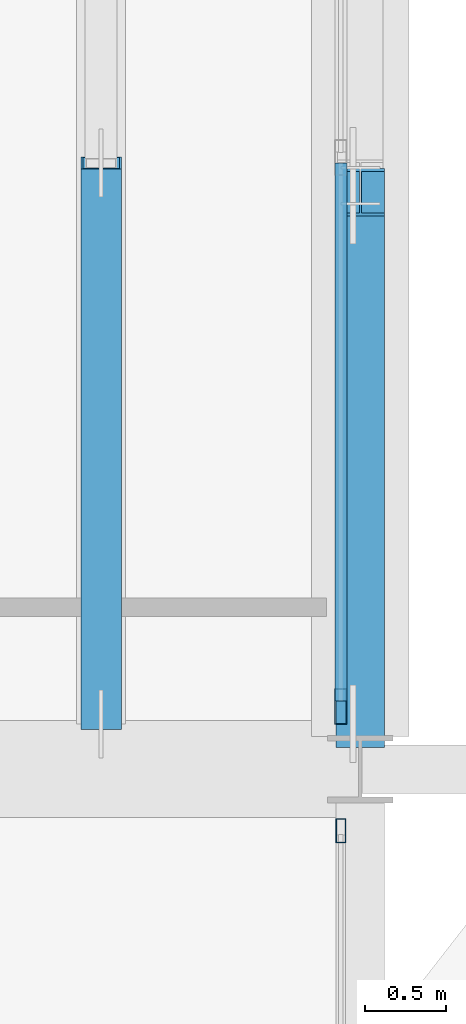
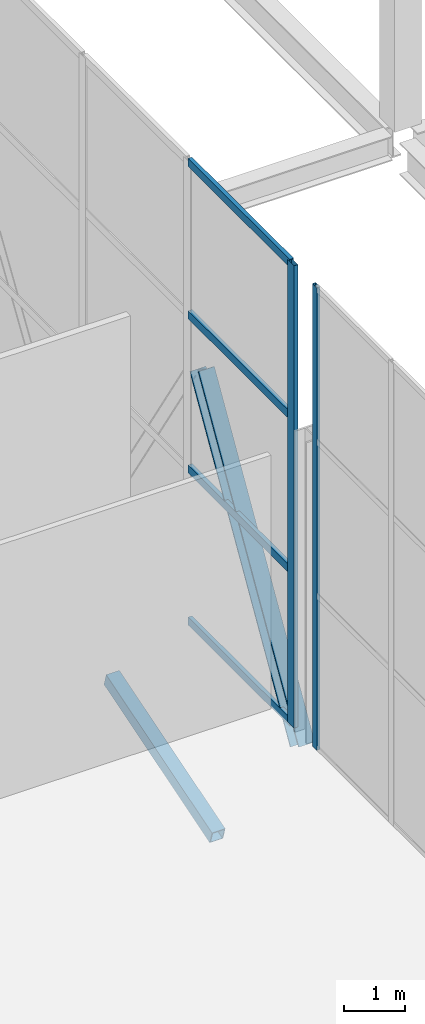
# One storey, part 54 of 191: 8 members, 2 elements without a shape of their own.
"""IFC4 building model written with IfcOpenShell, lengths in metres."""

import ifcopenshell
import ifcopenshell.guid

model = None  # the IFC model being written
_history = None  # IfcOwnerHistory: only IFC2X3 demands one
_inside = {}  # id of a spatial element -> (the spatial element, [elements in it])
_under = {}  # id of a project, library or spatial element -> (it, [spatial elements below it])
_declared = {}  # id of a project -> (the project, [libraries it declares])
_typed = {}  # id of a type object -> (the type object, [elements of that type])
_made_of = {}  # id of a material, layer set ... -> (it, [elements and type objects made of it])


def new_model(schema):
    """Start an empty IFC model of exactly this schema.

    Asked for "IFC4X3", IfcOpenShell would pick the latest addendum, in which some entities
    have other attributes; the version numbers below select the first issue.
    IFC2X3 requires an IfcOwnerHistory on every rooted entity: one is made here for all.
    """
    global model, _history
    if schema == "IFC4X3":
        model = ifcopenshell.file(schema_version=(4, 3, 0, 0))
    else:
        model = ifcopenshell.file(schema=schema)
    _inside.clear()
    _under.clear()
    _declared.clear()
    _typed.clear()
    _made_of.clear()
    _history = None
    if model.schema == "IFC2X3":
        org = make("IfcOrganization", Name="unknown")
        user = make(
            "IfcPersonAndOrganization",
            ThePerson=make("IfcPerson", FamilyName="unknown"),
            TheOrganization=org,
        )
        app = make(
            "IfcApplication",
            ApplicationDeveloper=org,
            Version="unknown",
            ApplicationFullName="unknown",
            ApplicationIdentifier="unknown",
        )
        _history = make(
            "IfcOwnerHistory",
            OwningUser=user,
            OwningApplication=app,
            ChangeAction="ADDED",
            CreationDate=0,
        )
    return model


def make(cls, **values):
    """One entity of the class cls with the attributes given. An attribute that is None is left unset."""
    return model.create_entity(
        cls, **{name: value for name, value in values.items() if value is not None}
    )


def rooted(cls, **values):
    """An entity with a GlobalId (a new one), such as an element, a storey or a relation."""
    return make(cls, GlobalId=ifcopenshell.guid.new(), OwnerHistory=_history, **values)


def si_unit(unit_type, name, prefix=None):
    """IfcSIUnit, for example si_unit("LENGTHUNIT", "METRE", prefix="MILLI")."""
    return make("IfcSIUnit", UnitType=unit_type, Prefix=prefix, Name=name)


def assignment(units):
    """IfcUnitAssignment: the units of a project."""
    return None if units is None else make("IfcUnitAssignment", Units=units)


def point(xyz):
    """IfcCartesianPoint."""
    return None if xyz is None else make("IfcCartesianPoint", Coordinates=xyz)


def direction(xyz):
    """IfcDirection."""
    return None if xyz is None else make("IfcDirection", DirectionRatios=xyz)


def frame(location, z_axis=None, x_axis=None):
    """IfcAxis2Placement3D, a coordinate frame: its origin and axes. An axis left out is left unset."""
    return make(
        "IfcAxis2Placement3D",
        Location=point(location),
        Axis=direction(z_axis),
        RefDirection=direction(x_axis),
    )


def frame_2d(location, x_axis=None):
    """IfcAxis2Placement2D, a coordinate frame in the plane: its origin and x axis."""
    return make(
        "IfcAxis2Placement2D", Location=point(location), RefDirection=direction(x_axis)
    )


def origin():
    """The frame at (0, 0, 0) with its axes left unset."""
    return frame((0.0, 0.0, 0.0))


def origin_2d():
    """The frame at (0, 0) in the plane with its x axis left unset."""
    return frame_2d((0.0, 0.0))


def place(relative_to, where):
    """IfcLocalPlacement: puts the frame where relative to a parent placement (None: the world)."""
    return make(
        "IfcLocalPlacement", PlacementRelTo=relative_to, RelativePlacement=where
    )


def context(
    kind, dimensions, precision=None, world=None, true_north=None, identifier=None
):
    """IfcGeometricRepresentationContext, for example the 3D "Model" context."""
    return make(
        "IfcGeometricRepresentationContext",
        ContextIdentifier=identifier,
        ContextType=kind,
        CoordinateSpaceDimension=dimensions,
        Precision=precision,
        WorldCoordinateSystem=world,
        TrueNorth=true_north,
    )


def subcontext(parent, identifier, kind, view, scale=None):
    """IfcGeometricRepresentationSubContext, for example "Body" below "Model"."""
    return make(
        "IfcGeometricRepresentationSubContext",
        ContextIdentifier=identifier,
        ContextType=kind,
        ParentContext=parent,
        TargetScale=scale,
        TargetView=view,
    )


def project(units=None, contexts=None):
    """IfcProject with its units and contexts."""
    return rooted(
        "IfcProject",
        Name="project",
        RepresentationContexts=contexts,
        UnitsInContext=assignment(units),
    )


def spatial(cls, under=None, at=None, **own):
    """A site, building, storey or space (cls), placed at a placement, below another one or the project."""
    s = rooted(cls, ObjectPlacement=at, **own)
    if under is not None:
        _under.setdefault(under.id(), (under, []))[1].append(s)
    return s


def profile(cls, at=None, kind="AREA", **sizes):
    """A parametric profile (cls). Its sizes go by their IFC names, for example OverallWidth=200.0."""
    return make(cls, ProfileType=kind, Position=at, **sizes)


def hollow_rectangle(**sizes):
    """IfcRectangleHollowProfileDef."""
    return profile("IfcRectangleHollowProfileDef", **sizes)


def i_section(**sizes):
    """IfcIShapeProfileDef."""
    return profile("IfcIShapeProfileDef", **sizes)


def extrude(swept, where, along, depth):
    """IfcExtrudedAreaSolid: the profile swept, set in the frame where, extruded along a direction by depth."""
    return make(
        "IfcExtrudedAreaSolid",
        SweptArea=swept,
        Position=where,
        ExtrudedDirection=direction(along),
        Depth=depth,
    )


def shape(context_of_items, identifier, shape_type, items):
    """IfcShapeRepresentation: the items that make up one representation, for example the "Body"."""
    return make(
        "IfcShapeRepresentation",
        ContextOfItems=context_of_items,
        RepresentationIdentifier=identifier,
        RepresentationType=shape_type,
        Items=items,
    )


def material(Name=None, Category=None):
    """IfcMaterial."""
    return make("IfcMaterial", Name=Name, Category=Category)


def layer(
    of_material, thickness, ventilated=None, Name=None, Category=None, Priority=None
):
    """IfcMaterialLayer: one layer of a wall or slab, of a material (None: an air gap)."""
    return make(
        "IfcMaterialLayer",
        Material=of_material,
        LayerThickness=thickness,
        IsVentilated=ventilated,
        Name=Name,
        Category=Category,
        Priority=Priority,
    )


def layer_set(layers, Name=None):
    """IfcMaterialLayerSet."""
    return make("IfcMaterialLayerSet", MaterialLayers=layers, LayerSetName=Name)


def material_profile(
    of_material, cross_section, Name=None, Category=None, Priority=None
):
    """IfcMaterialProfile: a cross section and its material."""
    return make(
        "IfcMaterialProfile",
        Name=Name,
        Material=of_material,
        Profile=cross_section,
        Priority=Priority,
        Category=Category,
    )


def profile_set(profiles, Name=None, composite=None):
    """IfcMaterialProfileSet."""
    return make(
        "IfcMaterialProfileSet",
        Name=Name,
        MaterialProfiles=profiles,
        CompositeProfile=composite,
    )


def made_of(thing, what):
    """Note that an element or type object is made of a material, layer set ...; save() writes the relation."""
    if what is not None:
        _made_of.setdefault(what.id(), (what, []))[1].append(thing)
    return thing


def type_object(cls, material=None, **own):
    """A type object (cls), such as IfcWallType, which elements share."""
    return made_of(rooted(cls, **own), material)


def element(
    cls,
    number,
    at=None,
    inside=None,
    cuts=None,
    type_object=None,
    material=None,
    context=None,
    identifier="Body",
    shape_type=None,
    held_by="IfcProductDefinitionShape",
    body=None,
    shapes=None,
    **own,
):
    """One element of the class cls, such as IfcWall. Its Tag is "e" and its number.

    at: its placement. inside: the storey or other place that contains it. cuts: it is an
    opening in that element (IfcRelVoidsElement). A single representation is given by context,
    identifier, shape_type and body (its items); several are given by shapes. held_by: the class
    of the entity that holds the representations. save() writes the other relations.
    """
    e = rooted(cls, Tag="e%d" % number, ObjectPlacement=at, **own)
    if body is not None:
        shapes = [shape(context, identifier, shape_type, body)]
    if shapes is not None:
        e.Representation = make(held_by, Representations=shapes)
    if inside is not None:
        _inside.setdefault(inside.id(), (inside, []))[1].append(e)
    if cuts is not None:
        rooted(
            "IfcRelVoidsElement", RelatingBuildingElement=cuts, RelatedOpeningElement=e
        )
    if type_object is not None:
        _typed.setdefault(type_object.id(), (type_object, []))[1].append(e)
    return made_of(e, material)


def aggregate(whole, parts):
    """IfcRelAggregates: a whole, such as a stair, and the parts it consists of."""
    return rooted("IfcRelAggregates", RelatingObject=whole, RelatedObjects=parts)


def save(model, path):
    """Write the relations noted so far, then the file.

    IfcRelAggregates (storeys below a building ...), IfcRelContainedInSpatialStructure (elements
    in a storey), IfcRelDefinesByType, IfcRelAssociatesMaterial and IfcRelDeclares: one each for
    every whole, place, type object, material and project.
    """
    for whole, parts in _under.values():
        aggregate(whole, parts)
    for where, things in _inside.values():
        rooted(
            "IfcRelContainedInSpatialStructure",
            RelatedElements=things,
            RelatingStructure=where,
        )
    for kind, things in _typed.values():
        rooted("IfcRelDefinesByType", RelatedObjects=things, RelatingType=kind)
    for what, things in _made_of.values():
        rooted("IfcRelAssociatesMaterial", RelatedObjects=things, RelatingMaterial=what)
    for by, libraries in _declared.values():
        rooted("IfcRelDeclares", RelatingContext=by, RelatedDefinitions=libraries)
    model.write(path)


model = new_model("IFC4")

# Units and contexts
model_context = context("Model", 3, precision=1e-05, world=origin(), true_north=direction((0.0, 1.0)))
body_context = subcontext(model_context, "Body", "Model", "MODEL_VIEW")
ifc_project = project(units=[si_unit("LENGTHUNIT", "METRE"), si_unit("AREAUNIT", "SQUARE_METRE"), si_unit("VOLUMEUNIT", "CUBIC_METRE"), si_unit("PLANEANGLEUNIT", "RADIAN"), si_unit("MASSUNIT", "GRAM", prefix="KILO")], contexts=[model_context])

# Site, building, storey
site_placement = place(None, origin())
site = spatial("IfcSite", under=ifc_project, at=site_placement, CompositionType="ELEMENT")
building_placement = place(site_placement, origin())
building = spatial("IfcBuilding", under=site, at=building_placement, Name="Tamarisk Ironworks Central Station", CompositionType="ELEMENT")
storey_placement = place(building_placement, frame((0.0, 0.0, 6.60009765625)))
storey = spatial("IfcBuildingStorey", under=building, at=storey_placement, Name="L01", CompositionType="ELEMENT", Elevation=6.60009765625)

# Curtain wall, member
ifc_material_1 = material(Name="Anodized aluminium alloy 6063-T6", Category="aluminium")
ifc_layer_1 = layer(ifc_material_1, 0.179931640625)
ifc_layer_set_1 = layer_set([ifc_layer_1], Name="Anodized aluminium alloy 6063-T6")
curtain_wall_type_1 = type_object("IfcCurtainWallType", Name="CW-06", PredefinedType="USERDEFINED", material=ifc_layer_set_1)
curtain_wall_1_placement = place(storey_placement, origin())
curtain_wall_1 = element("IfcCurtainWall", 1, at=curtain_wall_1_placement, inside=storey, type_object=curtain_wall_type_1, Name="Concourse E track-overlook curtain wall 02", ObjectType="GLAZED CURTAIN WALL", PredefinedType="USERDEFINED")
ifc_material_profile_1 = material_profile(ifc_material_1, hollow_rectangle(XDim=0.074951171875, YDim=0.219970703125, WallThickness=0.00390625, at=origin_2d()), Name="ALUM 220x75")
ifc_profile_set_1 = profile_set([ifc_material_profile_1], Name="Anodized aluminium alloy 6063-T6")
member_type_1 = type_object("IfcMemberType", Name="CWM-01", PredefinedType="MULLION", material=ifc_profile_set_1)
member_1_placement = place(storey_placement, frame((107.8798828125, 21.987548828125, 0.0), z_axis=(0.0, 0.0, 1.0), x_axis=(-1.0, 0.0, 0.0)))
member_1 = element("IfcMember", 2, at=member_1_placement, type_object=member_type_1, Name="CW06 mullion 1", PredefinedType="MULLION", context=body_context, shape_type="SweptSolid", body=[
    extrude(hollow_rectangle(XDim=0.074951171875, YDim=0.219970703125, WallThickness=0.00390625, at=origin_2d()), origin(), (0.0, 0.0, 1.0), 9.219970703125),
])

ifc_layer_2 = layer(ifc_material_1, 0.179931640625)
ifc_layer_set_2 = layer_set([ifc_layer_2], Name="Anodized aluminium alloy 6063-T6")
curtain_wall_type_2 = type_object("IfcCurtainWallType", Name="CW-05", PredefinedType="USERDEFINED", material=ifc_layer_set_2)
curtain_wall_2_placement = place(storey_placement, origin())
curtain_wall_2 = element("IfcCurtainWall", 3, at=curtain_wall_2_placement, inside=storey, type_object=curtain_wall_type_2, Name="Concourse E track-overlook curtain wall 01", ObjectType="GLAZED CURTAIN WALL", PredefinedType="USERDEFINED")
ifc_material_profile_2 = material_profile(ifc_material_1, hollow_rectangle(XDim=0.06005859375, YDim=0.14990234375, WallThickness=0.00341796875, at=origin_2d()), Name="ALUM 150x60")
ifc_profile_set_2 = profile_set([ifc_material_profile_2], Name="Anodized aluminium alloy 6063-T6")
member_type_2 = type_object("IfcMemberType", Name="CWM-03", PredefinedType="MULLION", material=ifc_profile_set_2)
member_2_placement = place(storey_placement, frame((107.8798828125, 21.219970703125, 0.0), z_axis=(0.0, 0.0, 1.0), x_axis=(-1.0, 0.0, 0.0)))
member_2 = element("IfcMember", 4, at=member_2_placement, type_object=member_type_2, Name="CW05 mullion 5", PredefinedType="MULLION", context=body_context, shape_type="SweptSolid", body=[
    extrude(hollow_rectangle(XDim=0.06005859375, YDim=0.14990234375, WallThickness=0.00341796875, at=origin_2d()), origin(), (0.0, 0.0, 1.0), 9.219970703125),
])
aggregate(curtain_wall_2, [member_2])

# Member
ifc_material_profile_3 = material_profile(ifc_material_1, hollow_rectangle(XDim=0.074951171875, YDim=0.159912109375, WallThickness=0.00390625, at=origin_2d()), Name="ALUM 160x75")
ifc_profile_set_3 = profile_set([ifc_material_profile_3], Name="Anodized aluminium alloy 6063-T6")
member_type_3 = type_object("IfcMemberType", Name="CWT-01", PredefinedType="USERDEFINED", material=ifc_profile_set_3)
member_3_placement = place(storey_placement, frame((107.8798828125, 22.02099609375, 0.037353515625), z_axis=(0.0, 1.0, 0.0), x_axis=(-1.0, 0.0, 0.0)))
member_3 = element("IfcMember", 5, at=member_3_placement, type_object=member_type_3, Name="CW06 transom 1.1", ObjectType="TRANSOM", PredefinedType="USERDEFINED", context=body_context, shape_type="SweptSolid", body=[
    extrude(hollow_rectangle(XDim=0.074951171875, YDim=0.159912109375, WallThickness=0.00390625, at=origin_2d()), origin(), (0.0, 0.0, 1.0), 3.320556640625),
])

member_4_placement = place(storey_placement, frame((107.8798828125, 22.02099609375, 3.0732421875), z_axis=(0.0, 1.0, 0.0), x_axis=(-1.0, 0.0, 0.0)))
member_4 = element("IfcMember", 6, at=member_4_placement, type_object=member_type_3, Name="CW06 transom 1.2", ObjectType="TRANSOM", PredefinedType="USERDEFINED", context=body_context, shape_type="SweptSolid", body=[
    extrude(hollow_rectangle(XDim=0.074951171875, YDim=0.159912109375, WallThickness=0.00390625, at=origin_2d()), origin(), (0.0, 0.0, 1.0), 3.320556640625),
])

member_5_placement = place(storey_placement, frame((107.8798828125, 22.02099609375, 6.146484375), z_axis=(0.0, 1.0, 0.0), x_axis=(-1.0, 0.0, 0.0)))
member_5 = element("IfcMember", 7, at=member_5_placement, type_object=member_type_3, Name="CW06 transom 1.3", ObjectType="TRANSOM", PredefinedType="USERDEFINED", context=body_context, shape_type="SweptSolid", body=[
    extrude(hollow_rectangle(XDim=0.074951171875, YDim=0.159912109375, WallThickness=0.00390625, at=origin_2d()), origin(), (0.0, 0.0, 1.0), 3.320556640625),
])

member_6_placement = place(storey_placement, frame((107.8798828125, 22.02099609375, 9.182373046875), z_axis=(0.0, 1.0, 0.0), x_axis=(-1.0, 0.0, 0.0)))
member_6 = element("IfcMember", 8, at=member_6_placement, type_object=member_type_3, Name="CW06 transom 1.4", ObjectType="TRANSOM", PredefinedType="USERDEFINED", context=body_context, shape_type="SweptSolid", body=[
    extrude(hollow_rectangle(XDim=0.074951171875, YDim=0.159912109375, WallThickness=0.00390625, at=origin_2d()), origin(), (0.0, 0.0, 1.0), 3.320556640625),
])

aggregate(curtain_wall_1, [member_1, member_3, member_4, member_5, member_6])

# Members
ifc_material_2 = material(Name="Structural steel S355J2H", Category="steel")
ifc_material_profile_4 = material_profile(ifc_material_2, hollow_rectangle(XDim=0.25, YDim=0.25, WallThickness=0.012451171875, at=origin_2d()), Name="SHS 250x250x12.5")
ifc_profile_set_4 = profile_set([ifc_material_profile_4], Name="Structural steel S355J2H")
member_type_4 = type_object("IfcMemberType", Name="MB-BR01", PredefinedType="BRACE", material=ifc_profile_set_4)
member_7_placement = place(storey_placement, frame((106.39990234375, 21.8798828125, -1.64013671875), z_axis=(0.0, 0.956137121505, 0.29291945118), x_axis=(-1.0, 0.0, 0.0)))
element("IfcMember", 9, at=member_7_placement, inside=storey, type_object=member_type_4, Name="Bridge deck stiffening web brace 187", PredefinedType="BRACE", context=body_context, shape_type="SweptSolid", body=[
    extrude(hollow_rectangle(XDim=0.25, YDim=0.25, WallThickness=0.012451171875, at=origin_2d()), origin(), (0.0, 0.0, 1.0), 3.618896484375),
])
ifc_material_3 = material(Name="Structural steel S355J2", Category="steel")
ifc_material_profile_5 = material_profile(ifc_material_3, i_section(OverallWidth=0.300048828125, OverallDepth=0.340087890625, WebThickness=0.011962890625, FlangeThickness=0.021484375, at=origin_2d()), Name="HEB 340")
ifc_profile_set_5 = profile_set([ifc_material_profile_5], Name="Structural steel S355J2")
member_type_5 = type_object("IfcMemberType", Name="MB-TTD01", PredefinedType="BRACE", material=ifc_profile_set_5)
member_8_placement = place(storey_placement, frame((108.0, 21.8798828125, -0.380126953125), z_axis=(0.0, 0.512200847378, 0.858865700762), x_axis=(-1.0, 0.0, 0.0)))
element("IfcMember", 10, at=member_8_placement, inside=storey, type_object=member_type_5, Name="Transfer truss diagonal 085", PredefinedType="BRACE", context=body_context, shape_type="SweptSolid", body=[
    extrude(i_section(OverallWidth=0.300048828125, OverallDepth=0.340087890625, WebThickness=0.011962890625, FlangeThickness=0.021484375, at=origin_2d()), origin(), (0.0, 0.0, 1.0), 6.40380859375),
])

save(model, "model.ifc")
